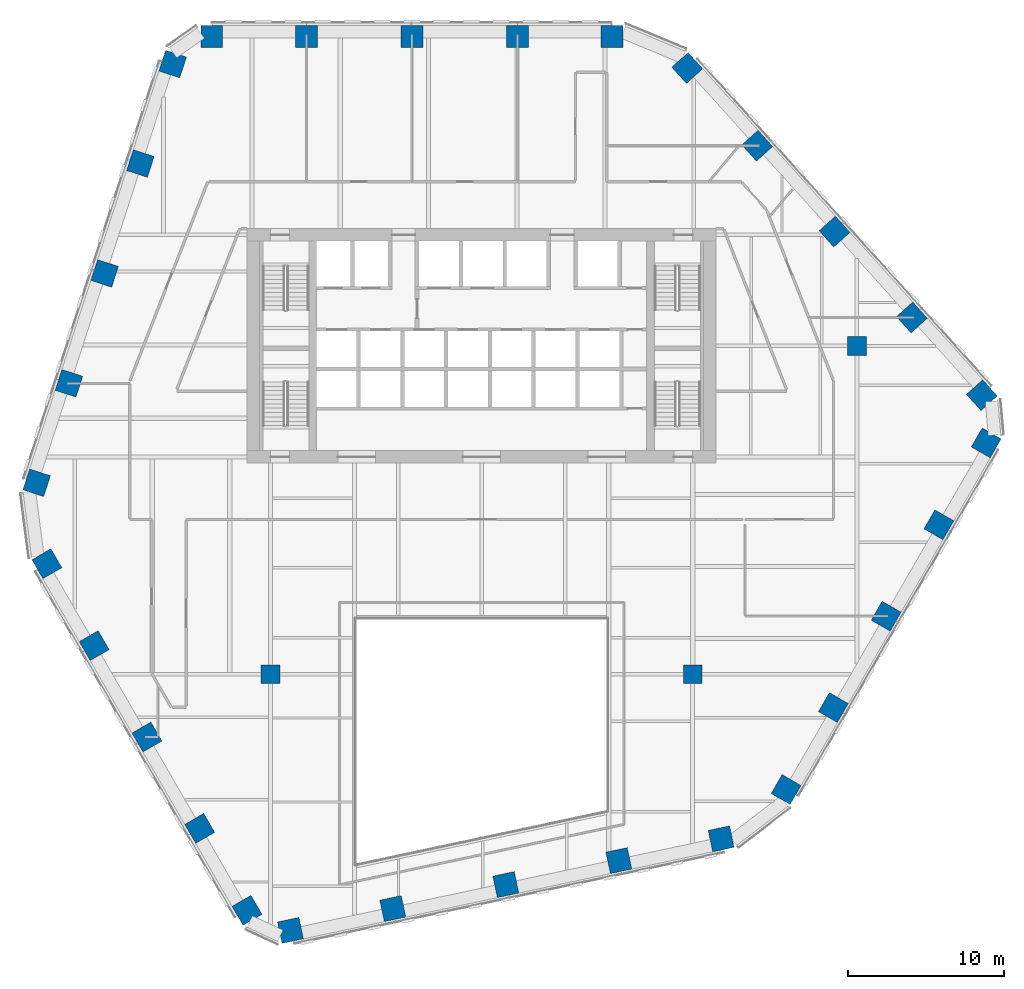
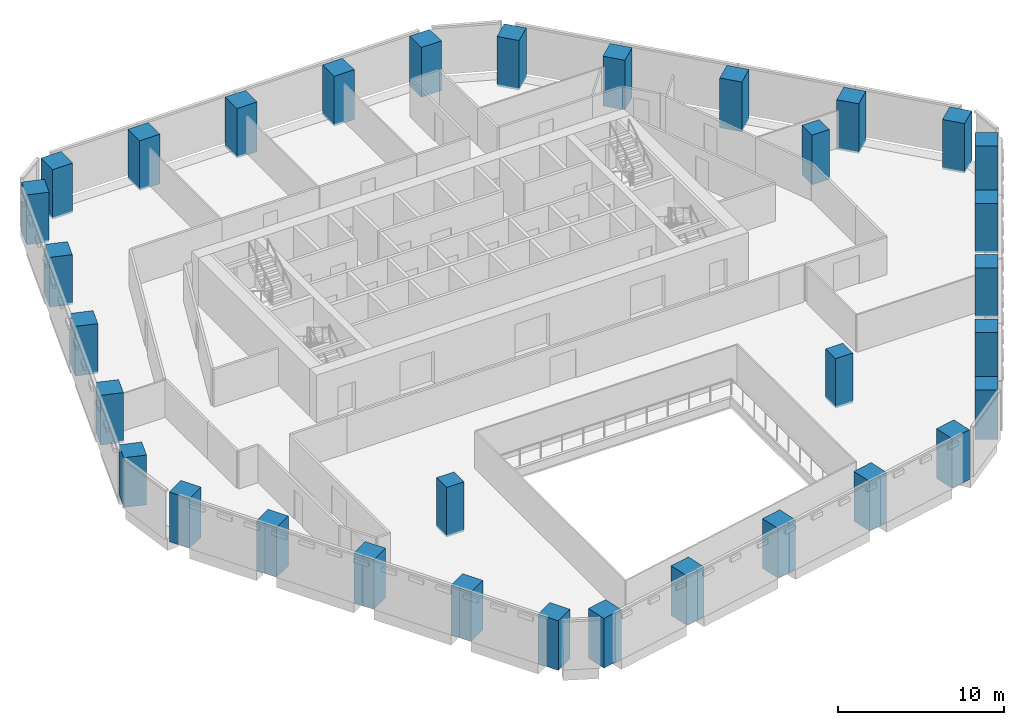
# One storey, part 1 of 17: 33 columns.
"""IFC4 building model written with IfcOpenShell, lengths in metres."""

from ifc_helpers import new_model, si_unit, direction, frame, origin, origin_2d, place, context, subcontext, project, spatial, rectangle, extrude, material, material_profile, profile_set, type_object, element, save


model = new_model("IFC4")

# Units and contexts
model_context = context("Model", 3, precision=1e-05, world=origin(), true_north=direction((0.0, 1.0)))
body_context = subcontext(model_context, "Body", "Model", "MODEL_VIEW")
ifc_project = project(units=[si_unit("LENGTHUNIT", "METRE"), si_unit("AREAUNIT", "SQUARE_METRE"), si_unit("VOLUMEUNIT", "CUBIC_METRE"), si_unit("PLANEANGLEUNIT", "RADIAN"), si_unit("MASSUNIT", "GRAM", prefix="KILO")], contexts=[model_context])

# Site, building, storey
site_placement = place(None, origin())
site = spatial("IfcSite", under=ifc_project, at=site_placement, CompositionType="ELEMENT")
building_placement = place(site_placement, origin())
building = spatial("IfcBuilding", under=site, at=building_placement, Name="Isthmus Gate Tower", CompositionType="ELEMENT")
storey_placement = place(building_placement, frame((0.0, 0.0, 126.14990234375)))
storey = spatial("IfcBuildingStorey", under=building, at=storey_placement, Name="L30", CompositionType="ELEMENT", Elevation=126.14990234375)

# Columns
ifc_material_1 = material(Name="Concrete f'c 60 MPa", Category="concrete")
ifc_material_profile_1 = material_profile(ifc_material_1, rectangle(XDim=1.199951171875, YDim=1.199951171875, at=origin_2d()), Name="RC 1200X1200")
ifc_profile_set_1 = profile_set([ifc_material_profile_1], Name="Concrete f'c 60 MPa")
column_type_1 = type_object("IfcColumnType", Name="RC INTERIOR COLUMN 1200 X 1200", PredefinedType="COLUMN", material=ifc_profile_set_1)
for number, where, z_axis, x_axis, name in (
    (1, (-13.5, -13.5, -0.14990234375), (0.0, 0.0, 1.0), (1.0, 0.0, 0.0), "str-icol-L30-ICB2"),
    (2, (13.5, -13.5, -0.14990234375), (0.0, 0.0, 1.0), (1.0, 0.0, 0.0), "str-icol-L30-ICD2"),
    (3, (24.0, 7.5, -0.14990234375), (0.0, 0.0, 1.0), (1.0, 0.0, 0.0), "str-icol-L30-ICE3"),
):
    element("IfcColumn", number, at=place(storey_placement, frame(where, z_axis=z_axis, x_axis=x_axis)), inside=storey, type_object=column_type_1, Name=name, PredefinedType="COLUMN", context=body_context, shape_type="SweptSolid", body=[
        extrude(rectangle(XDim=1.199951171875, YDim=1.199951171875, at=origin_2d()), origin(), (0.0, 0.0, 1.0), 3.64990234375),
    ])
ifc_material_2 = material(Name="Concrete f'c 60 MPa", Category="concrete")
ifc_material_profile_2 = material_profile(ifc_material_2, rectangle(XDim=1.39990234375, YDim=1.39990234375, at=origin_2d()), Name="RC 1400X1400")
ifc_profile_set_2 = profile_set([ifc_material_profile_2], Name="Concrete f'c 60 MPa")
column_type_2 = type_object("IfcColumnType", Name="RC TUBE COLUMN 1400 X 1400", PredefinedType="COLUMN", material=ifc_profile_set_2)
for number, where, z_axis, x_axis, name in (
    (4, (8.338623046875, 27.300048828125, -0.14990234375), (0.0, 0.0, 1.0), (-1.0, 0.0, 0.0), "str-tcol-L30-T2N0"),
    (5, (2.288330078125, 27.300048828125, -0.14990234375), (0.0, 0.0, 1.0), (-1.0, 0.0, 0.0), "str-tcol-L30-T2N1"),
    (6, (-4.461669921875, 27.300048828125, -0.14990234375), (0.0, 0.0, 1.0), (-1.0, 0.0, 0.0), "str-tcol-L30-T2N2"),
    (7, (-11.2119140625, 27.300048828125, -0.14990234375), (0.0, 0.0, 1.0), (-1.0, 0.0, 0.0), "str-tcol-L30-T2N3"),
    (8, (-17.261962890625, 27.300048828125, -0.14990234375), (0.0, 0.0, 1.0), (-1.0, 0.0, 0.0), "str-tcol-L30-T2N4"),
    (9, (-19.765380859375, 25.532958984375, -0.14990234375), (0.0, 0.0, 1.0), (-0.309016994375, -0.951056516295, 0.0), "str-tcol-L30-T2NW0"),
    (10, (-21.8330078125, 19.169677734375, -0.14990234375), (0.0, 0.0, 1.0), (-0.309016994375, -0.951056516295, 0.0), "str-tcol-L30-T2NW1"),
    (11, (-24.116943359375, 12.140625, -0.14990234375), (0.0, 0.0, 1.0), (-0.309016994375, -0.951056516295, 0.0), "str-tcol-L30-T2NW2"),
    (12, (-26.400634765625, 5.111328125, -0.14990234375), (0.0, 0.0, 1.0), (-0.309016994375, -0.951056516295, 0.0), "str-tcol-L30-T2NW3"),
    (13, (-28.46826171875, -1.251953125, -0.14990234375), (0.0, 0.0, 1.0), (-0.309016994375, -0.951056516295, 0.0), "str-tcol-L30-T2NW4"),
    (14, (-27.811767578125, -6.4287109375, -0.14990234375), (0.0, 0.0, 1.0), (0.5, -0.866025403784, 0.0), "str-tcol-L30-T2SW0"),
    (15, (-24.78662109375, -11.668212890625, -0.14990234375), (0.0, 0.0, 1.0), (0.5, -0.866025403784, 0.0), "str-tcol-L30-T2SW1"),
    (16, (-21.41162109375, -17.513916015625, -0.14990234375), (0.0, 0.0, 1.0), (0.5, -0.866025403784, 0.0), "str-tcol-L30-T2SW2"),
    (17, (-18.03662109375, -23.359619140625, -0.14990234375), (0.0, 0.0, 1.0), (0.5, -0.866025403784, 0.0), "str-tcol-L30-T2SW3"),
    (18, (-15.011474609375, -28.599365234375, -0.14990234375), (0.0, 0.0, 1.0), (0.5, -0.866025403784, 0.0), "str-tcol-L30-T2SW4"),
    (19, (-12.2294921875, -29.8837890625, -0.14990234375), (0.0, 0.0, 1.0), (0.978147600734, 0.207911690818, 0.0), "str-tcol-L30-T2S0"),
    (20, (-5.684814453125, -28.49267578125, -0.14990234375), (0.0, 0.0, 1.0), (0.978147600734, 0.207911690818, 0.0), "str-tcol-L30-T2S1"),
    (21, (1.54443359375, -26.9560546875, -0.14990234375), (0.0, 0.0, 1.0), (0.978147600734, 0.207911690818, 0.0), "str-tcol-L30-T2S2"),
    (22, (8.773681640625, -25.41943359375, -0.14990234375), (0.0, 0.0, 1.0), (0.978147600734, 0.207911690818, 0.0), "str-tcol-L30-T2S3"),
    (23, (15.318359375, -24.0283203125, -0.14990234375), (0.0, 0.0, 1.0), (0.978147600734, 0.207911690818, 0.0), "str-tcol-L30-T2S4"),
    (24, (19.47314453125, -20.871337890625, -0.14990234375), (0.0, 0.0, 1.0), (0.5, 0.866025403784, 0.0), "str-tcol-L30-T2SE0"),
    (25, (22.498291015625, -15.6318359375, -0.14990234375), (0.0, 0.0, 1.0), (0.5, 0.866025403784, 0.0), "str-tcol-L30-T2SE1"),
    (26, (25.873291015625, -9.7861328125, -0.14990234375), (0.0, 0.0, 1.0), (0.5, 0.866025403784, 0.0), "str-tcol-L30-T2SE2"),
    (27, (29.248291015625, -3.940185546875, -0.14990234375), (0.0, 0.0, 1.0), (0.5, 0.866025403784, 0.0), "str-tcol-L30-T2SE3"),
    (28, (32.2734375, 1.29931640625, -0.14990234375), (0.0, 0.0, 1.0), (0.5, 0.866025403784, 0.0), "str-tcol-L30-T2SE4"),
    (29, (31.994873046875, 4.350830078125, -0.14990234375), (0.0, 0.0, 1.0), (-0.669130606359, 0.743144825477, 0.0), "str-tcol-L30-T2NE0"),
    (30, (27.517822265625, 9.3232421875, -0.14990234375), (0.0, 0.0, 1.0), (-0.669130606359, 0.743144825477, 0.0), "str-tcol-L30-T2NE1"),
    (31, (22.572509765625, 14.815673828125, -0.14990234375), (0.0, 0.0, 1.0), (-0.669130606359, 0.743144825477, 0.0), "str-tcol-L30-T2NE2"),
    (32, (17.626953125, 20.30810546875, -0.14990234375), (0.0, 0.0, 1.0), (-0.669130606359, 0.743144825477, 0.0), "str-tcol-L30-T2NE3"),
    (33, (13.14990234375, 25.2802734375, -0.14990234375), (0.0, 0.0, 1.0), (-0.669130606359, 0.743144825477, 0.0), "str-tcol-L30-T2NE4"),
):
    element("IfcColumn", number, at=place(storey_placement, frame(where, z_axis=z_axis, x_axis=x_axis)), inside=storey, type_object=column_type_2, Name=name, PredefinedType="COLUMN", context=body_context, shape_type="SweptSolid", body=[
        extrude(rectangle(XDim=1.39990234375, YDim=1.39990234375, at=origin_2d()), origin(), (0.0, 0.0, 1.0), 3.64990234375),
    ])

save(model, "model.ifc")
